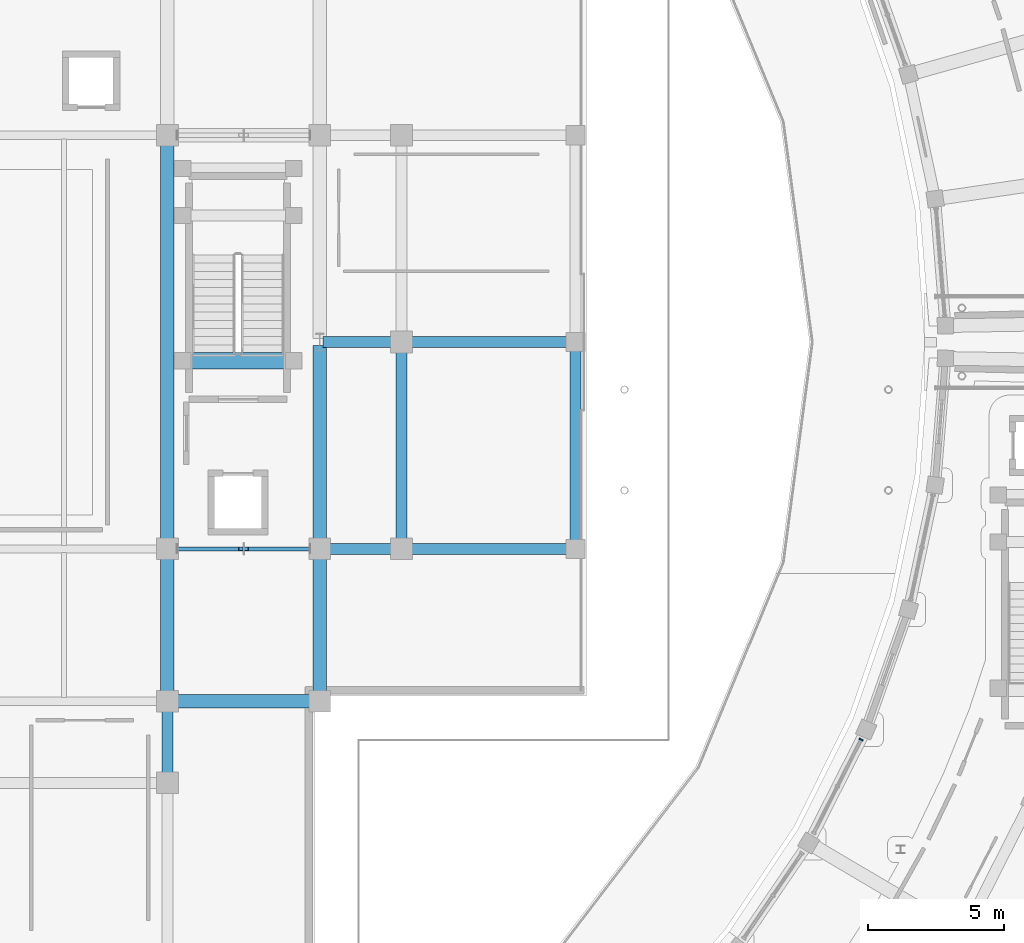
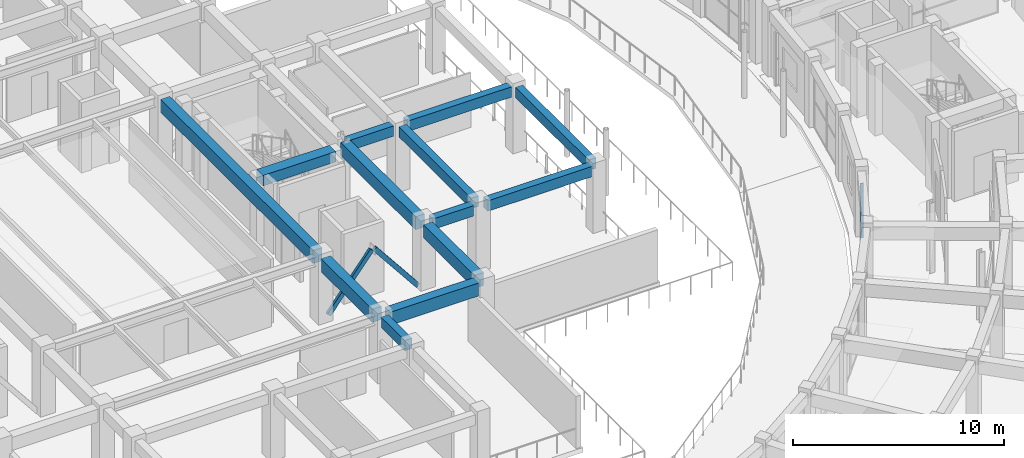
# One storey, part 31 of 83: 13 beams, 3 members, 1 element without a shape of its own.
"""IFC4 building model written with IfcOpenShell, lengths in metres."""

from ifc_helpers import new_model, si_unit, direction, frame, origin, origin_2d, place, context, subcontext, project, spatial, rectangle, hollow_rectangle, extrude, material, material_profile, profile_set, type_object, element, aggregate, save


model = new_model("IFC4")

# Units and contexts
model_context = context("Model", 3, precision=1e-05, world=origin(), true_north=direction((0.0, 1.0)))
body_context = subcontext(model_context, "Body", "Model", "MODEL_VIEW")
ifc_project = project(units=[si_unit("LENGTHUNIT", "METRE"), si_unit("AREAUNIT", "SQUARE_METRE"), si_unit("VOLUMEUNIT", "CUBIC_METRE"), si_unit("PLANEANGLEUNIT", "RADIAN"), si_unit("MASSUNIT", "GRAM", prefix="KILO")], contexts=[model_context])

# Site, building, storey
site_placement = place(None, origin())
site = spatial("IfcSite", under=ifc_project, at=site_placement, CompositionType="ELEMENT")
building_placement = place(site_placement, origin())
building = spatial("IfcBuilding", under=site, at=building_placement, Name="Saryqyr Civic Hall", CompositionType="ELEMENT")
storey_placement = place(building_placement, frame((0.0, 0.0, 9.14990234375)))
storey = spatial("IfcBuildingStorey", under=building, at=storey_placement, Name="L02", CompositionType="ELEMENT", Elevation=9.14990234375)

# Curtain wall, member
ifc_material_1 = material(Name="Anodised aluminium and triple low-E glass", Category="aluminium")
curtain_wall_type = type_object("IfcCurtainWallType", Name="ENV-CW-STD-25", PredefinedType="NOTDEFINED", material=ifc_material_1)
curtain_wall_placement = place(storey_placement, origin())
curtain_wall = element("IfcCurtainWall", 1, at=curtain_wall_placement, inside=storey, type_object=curtain_wall_type, Name="Curtain wall V5-CWI-L02-06", PredefinedType="NOTDEFINED")
ifc_material_2 = material(Name="Anodised aluminium", Category="aluminium")
ifc_material_profile_1 = material_profile(ifc_material_2, rectangle(XDim=0.06005859375, YDim=0.159912109375, at=origin_2d()), Name="ALU MULLION 60x160")
ifc_profile_set_1 = profile_set([ifc_material_profile_1], Name="Anodised aluminium")
member_type_1 = type_object("IfcMemberType", Name="ENV-CW-MUL-180", PredefinedType="MULLION", material=ifc_profile_set_1)
member_placement = place(storey_placement, frame((90.095458984375, 69.392822265625, 0.0), z_axis=(0.0, 0.0, 1.0), x_axis=(0.451909750219, 0.892063662334, 0.0)))
member = element("IfcMember", 2, at=member_placement, type_object=member_type_1, Name="CW-25 mullion 3", PredefinedType="MULLION", context=body_context, shape_type="SweptSolid", body=[
    extrude(rectangle(XDim=0.06005859375, YDim=0.159912109375, at=origin_2d()), origin(), (0.0, 0.0, 1.0), 3.1650390625),
])
aggregate(curtain_wall, [member])

# Beams
ifc_material_3 = material(Name="Concrete C35/45", Category="concrete")
ifc_material_profile_2 = material_profile(ifc_material_3, rectangle(XDim=0.39990234375, YDim=0.60009765625, at=origin_2d()), Name="RC 400x600")
ifc_profile_set_2 = profile_set([ifc_material_profile_2], Name="Concrete C35/45")
beam_type_1 = type_object("IfcBeamType", Name="STR-BM-RC400x600", PredefinedType="BEAM", material=ifc_profile_set_2)
for number, where, z_axis, x_axis, name in (
    (3, (73.574951171875, 76.39990234375, 3.489990234375), (1.0, 0.0, 0.0), (0.0, 1.0, 0.0), "Beam V1-TBM-04-L02"),
    (4, (73.574951171875, 84.0, 3.489990234375), (1.0, 0.0, 0.0), (0.0, 1.0, 0.0), "Beam V1-TBM-05-L02"),
):
    element("IfcBeam", number, at=place(storey_placement, frame(where, z_axis=z_axis, x_axis=x_axis)), inside=storey, type_object=beam_type_1, Name=name, PredefinedType="BEAM", context=body_context, shape_type="SweptSolid", body=[
        extrude(rectangle(XDim=0.39990234375, YDim=0.60009765625, at=origin_2d()), origin(), (0.0, 0.0, 1.0), 5.699951171875),
    ])
beam_1_placement = place(storey_placement, frame((79.60009765625, 76.72509765625, 3.489990234375), z_axis=(0.0, 1.0, 0.0), x_axis=(-1.0, 0.0, 0.0)))
element("IfcBeam", 5, at=beam_1_placement, inside=storey, type_object=beam_type_1, Name="Beam V1-TBM-15-L02", PredefinedType="BEAM", context=body_context, shape_type="SweptSolid", body=[
    extrude(rectangle(XDim=0.39990234375, YDim=0.60009765625, at=origin_2d()), origin(), (0.0, 0.0, 1.0), 6.949951171875),
])
beam_2_placement = place(storey_placement, frame((70.574951171875, 76.39990234375, 3.489990234375), z_axis=(1.0, 0.0, 0.0), x_axis=(0.0, 1.0, 0.0)))
element("IfcBeam", 6, at=beam_2_placement, inside=storey, type_object=beam_type_1, Name="Beam V1-TBM-24-L02", PredefinedType="BEAM", context=body_context, shape_type="SweptSolid", body=[
    extrude(rectangle(XDim=0.39990234375, YDim=0.60009765625, at=origin_2d()), origin(), (0.0, 0.0, 1.0), 2.25),
])
beam_3_placement = place(storey_placement, frame((70.324951171875, 84.0, 3.489990234375), z_axis=(1.0, 0.0, 0.0), x_axis=(0.0, 1.0, 0.0)))
element("IfcBeam", 7, at=beam_3_placement, inside=storey, type_object=beam_type_1, Name="Beam V1-TBM-25-L02", PredefinedType="BEAM", context=body_context, shape_type="SweptSolid", body=[
    extrude(rectangle(XDim=0.39990234375, YDim=0.60009765625, at=origin_2d()), origin(), (0.0, 0.0, 1.0), 2.5),
])
beam_4_placement = place(storey_placement, frame((64.60009765625, 68.175048828125, 3.489990234375), z_axis=(0.0, 1.0, 0.0), x_axis=(-1.0, 0.0, 0.0)))
element("IfcBeam", 8, at=beam_4_placement, inside=storey, type_object=beam_type_1, Name="Beam V1-TBM-28-L02", PredefinedType="BEAM", context=body_context, shape_type="SweptSolid", body=[
    extrude(rectangle(XDim=0.39990234375, YDim=0.60009765625, at=origin_2d()), origin(), (0.0, 0.0, 1.0), 2.25),
])
beam_5_placement = place(storey_placement, frame((73.199951171875, 76.77490234375, 3.489990234375), z_axis=(0.0, 1.0, 0.0), x_axis=(-1.0, 0.0, 0.0)))
element("IfcBeam", 9, at=beam_5_placement, inside=storey, type_object=beam_type_1, Name="Beam V1-TBM-33-L02", PredefinedType="BEAM", context=body_context, shape_type="SweptSolid", body=[
    extrude(rectangle(XDim=0.39990234375, YDim=0.60009765625, at=origin_2d()), origin(), (0.0, 0.0, 1.0), 6.85009765625),
])
ifc_material_4 = material(Name="Concrete C40/50", Category="concrete")
ifc_material_profile_3 = material_profile(ifc_material_4, rectangle(XDim=0.5, YDim=0.75, at=origin_2d()), Name="RC 500x750")
ifc_profile_set_3 = profile_set([ifc_material_profile_3], Name="Concrete C40/50")
beam_type_2 = type_object("IfcBeamType", Name="STR-BM-RC500x750", PredefinedType="BEAM", material=ifc_profile_set_3)
for number, where, z_axis, x_axis, name in (
    (10, (64.97509765625, 70.800048828125, 3.4150390625), (1.0, 0.0, 0.0), (0.0, 1.0, 0.0), "Beam V1-WBM-E1-L02"),
    (11, (64.60009765625, 71.175048828125, 3.4150390625), (0.0, 1.0, 0.0), (-1.0, 0.0, 0.0), "Beam V1-BM-NS31-L02"),
):
    element("IfcBeam", number, at=place(storey_placement, frame(where, z_axis=z_axis, x_axis=x_axis)), inside=storey, type_object=beam_type_2, Name=name, PredefinedType="BEAM", context=body_context, shape_type="SweptSolid", body=[
        extrude(rectangle(XDim=0.5, YDim=0.75, at=origin_2d()), origin(), (0.0, 0.0, 1.0), 4.849853515625),
    ])
beam_6_placement = place(storey_placement, frame((64.60009765625, 76.77490234375, 3.4150390625), z_axis=(0.0, 1.0, 0.0), x_axis=(-1.0, 0.0, 0.0)))
element("IfcBeam", 12, at=beam_6_placement, inside=storey, type_object=beam_type_2, Name="Beam V1-BM-NS32-L02", PredefinedType="BEAM", context=body_context, shape_type="SweptSolid", body=[
    extrude(rectangle(XDim=0.5, YDim=0.75, at=origin_2d()), origin(), (0.0, 0.0, 1.0), 14.4501953125),
])
beam_7_placement = place(storey_placement, frame((70.199951171875, 71.175048828125, 3.4150390625), z_axis=(0.0, 1.0, 0.0), x_axis=(-1.0, 0.0, 0.0)))
element("IfcBeam", 13, at=beam_7_placement, inside=storey, type_object=beam_type_2, Name="Beam V1-BM-NS41-L02", PredefinedType="BEAM", context=body_context, shape_type="SweptSolid", body=[
    extrude(rectangle(XDim=0.5, YDim=0.75, at=origin_2d()), origin(), (0.0, 0.0, 1.0), 4.849853515625),
])
beam_8_placement = place(storey_placement, frame((70.199951171875, 76.77490234375, 3.4150390625), z_axis=(0.0, 1.0, 0.0), x_axis=(-1.0, 0.0, 0.0)))
element("IfcBeam", 14, at=beam_8_placement, inside=storey, type_object=beam_type_2, Name="Beam V1-BM-NS4A-L02", PredefinedType="BEAM", context=body_context, shape_type="SweptSolid", body=[
    extrude(rectangle(XDim=0.5, YDim=0.75, at=origin_2d()), origin(), (0.0, 0.0, 1.0), 7.10009765625),
])
ifc_material_profile_4 = material_profile(ifc_material_4, rectangle(XDim=0.60009765625, YDim=0.60009765625, at=origin_2d()), Name="RC 600x600")
ifc_profile_set_4 = profile_set([ifc_material_profile_4], Name="Concrete C40/50")
beam_type_3 = type_object("IfcBeamType", Name="STR-BM-RC600x600", PredefinedType="BEAM", material=ifc_profile_set_4)
beam_9_placement = place(storey_placement, frame((69.199951171875, 83.31494140625, 3.75), z_axis=(-1.0, 0.0, 0.0), x_axis=(0.0, -1.0, 0.0)))
element("IfcBeam", 15, at=beam_9_placement, inside=storey, type_object=beam_type_3, Name="Stair well trimmer beam ST-2-L03", PredefinedType="BEAM", context=body_context, shape_type="SweptSolid", body=[
    extrude(rectangle(XDim=0.60009765625, YDim=0.60009765625, at=origin_2d()), origin(), (0.0, 0.0, 1.0), 4.0),
])

# Members
ifc_material_5 = material(Name="Steel S355", Category="steel")
ifc_material_profile_5 = material_profile(ifc_material_5, hollow_rectangle(XDim=0.14990234375, YDim=0.25, WallThickness=0.012451171875, at=origin_2d()), Name="RHS 250x150x12.5")
ifc_profile_set_5 = profile_set([ifc_material_profile_5], Name="Steel S355")
member_type_2 = type_object("IfcMemberType", Name="STR-BR-RHS250", PredefinedType="BRACE", material=ifc_profile_set_5)
for number, where, z_axis, x_axis, name in (
    (16, (64.9599609375, 76.39990234375, 0.1201171875), (0.624718690137, 0.0, 0.78084989479), (0.0, 1.0, 0.0), "Seismic chevron brace 2A L02"),
    (17, (69.840087890625, 76.39990234375, 0.1201171875), (-0.624718690137, 0.0, 0.78084989479), (0.0, -1.0, 0.0), "Seismic chevron brace 2B L02"),
):
    element("IfcMember", number, at=place(storey_placement, frame(where, z_axis=z_axis, x_axis=x_axis)), inside=storey, type_object=member_type_2, Name=name, PredefinedType="BRACE", context=body_context, shape_type="SweptSolid", body=[
        extrude(hollow_rectangle(XDim=0.14990234375, YDim=0.25, WallThickness=0.012451171875, at=origin_2d()), origin(), (0.0, 0.0, 1.0), 3.77783203125),
    ])

save(model, "model.ifc")
